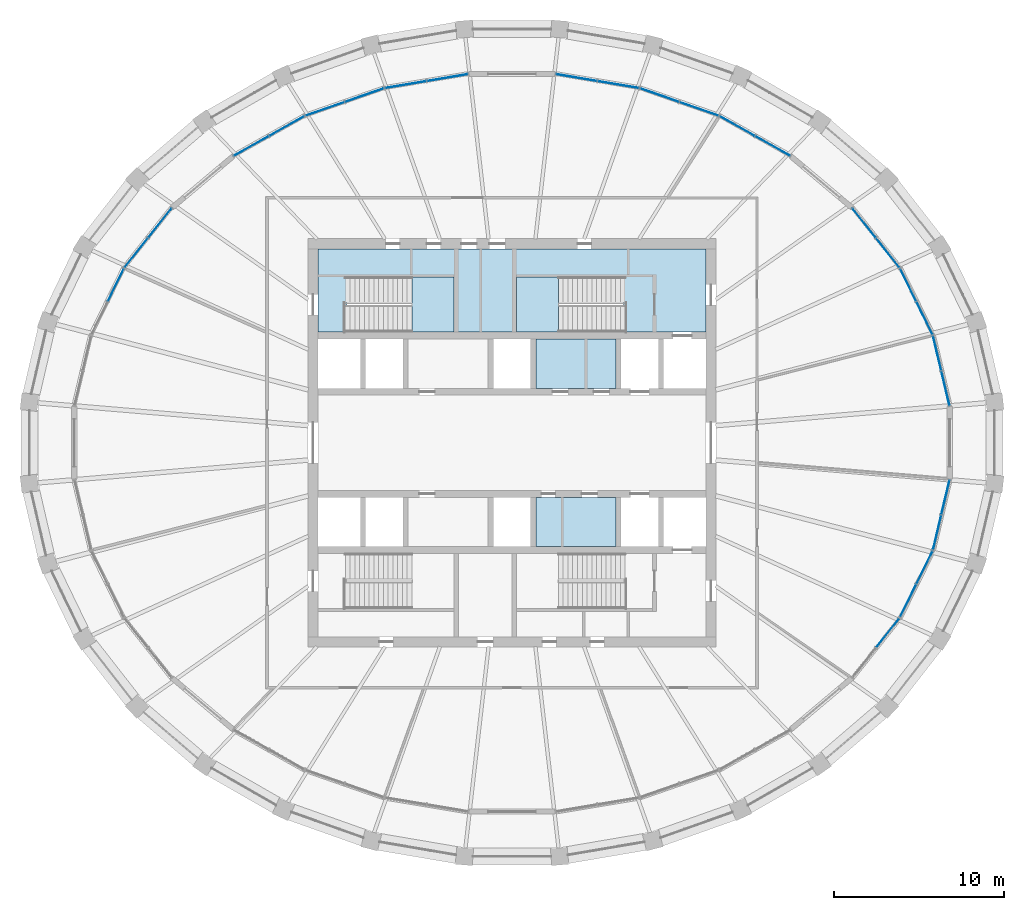
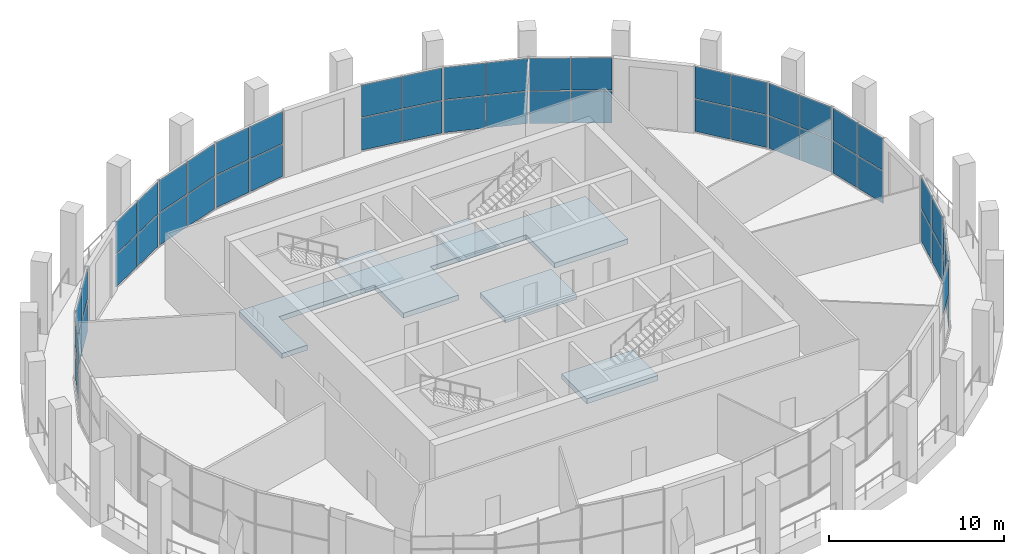
# One storey, part 9 of 15: 51 plates, 5 slabs, 16 elements without a shape of their own.
"""IFC4 building model written with IfcOpenShell, lengths in metres."""

from ifc_helpers import new_model, si_unit, direction, frame, origin, origin_2d, place, context, subcontext, project, spatial, polyline, rectangle, outline, extrude, material, layer, layer_set, type_object, element, aggregate, save


model = new_model("IFC4")

# Units and contexts
model_context = context("Model", 3, precision=1e-05, world=origin(), true_north=direction((0.0, 1.0)))
body_context = subcontext(model_context, "Body", "Model", "MODEL_VIEW")
ifc_project = project(units=[si_unit("LENGTHUNIT", "METRE"), si_unit("AREAUNIT", "SQUARE_METRE"), si_unit("VOLUMEUNIT", "CUBIC_METRE"), si_unit("PLANEANGLEUNIT", "RADIAN"), si_unit("MASSUNIT", "GRAM", prefix="KILO")], contexts=[model_context])

# Site, building, storey
site_placement = place(None, origin())
site = spatial("IfcSite", under=ifc_project, at=site_placement, CompositionType="ELEMENT")
building_placement = place(site_placement, origin())
building = spatial("IfcBuilding", under=site, at=building_placement, Name="Halqa Exchange Tower", CompositionType="ELEMENT")
storey_placement = place(building_placement, frame((0.0, 0.0, 338.300048828125)))
storey = spatial("IfcBuildingStorey", under=building, at=storey_placement, Name="L79", CompositionType="ELEMENT", Elevation=338.300048828125)

# Curtain wall, plates
ifc_material_1 = material(Name="Anodised aluminium and clear glass", Category="aluminium")
curtain_wall_type = type_object("IfcCurtainWallType", Name="Executive floor glazing", PredefinedType="NOTDEFINED", material=ifc_material_1)
curtain_wall_1_placement = place(storey_placement, origin())
curtain_wall_1 = element("IfcCurtainWall", 1, at=curtain_wall_1_placement, inside=storey, type_object=curtain_wall_type, Name="Executive floor glazing run G1", PredefinedType="NOTDEFINED")
ifc_material_2 = material(Name="Clear glass", Category="glass")
ifc_layer_1 = layer(ifc_material_2, 0.028076171875)
ifc_layer_set_1 = layer_set([ifc_layer_1], Name="Clear glass")
plate_type = type_object("IfcPlateType", Name="Clear low-emissivity glass panel 28", PredefinedType="CURTAIN_PANEL", material=ifc_layer_set_1)
plate_1_placement = place(storey_placement, frame((25.47509765625, 3.2001953125, 0.06005859375), z_axis=(0.0, 0.0, 1.0), x_axis=(-0.229995471437, 0.97319169906, 0.0)))
plate_1 = element("IfcPlate", 2, at=plate_1_placement, type_object=plate_type, Name="G1 panel 1.1", PredefinedType="CURTAIN_PANEL", context=body_context, shape_type="SweptSolid", body=[
    extrude(rectangle(XDim=2.063720703125, YDim=0.028076171875, at=origin_2d()), origin(), (0.0, 0.0, 1.0), 2.235107421875),
])
plate_2_placement = place(storey_placement, frame((25.47509765625, 3.2001953125, 2.35498046875), z_axis=(0.0, 0.0, 1.0), x_axis=(-0.229995471437, 0.97319169906, 0.0)))
plate_2 = element("IfcPlate", 3, at=plate_2_placement, type_object=plate_type, Name="G1 panel 1.2", PredefinedType="CURTAIN_PANEL", context=body_context, shape_type="SweptSolid", body=[
    extrude(rectangle(XDim=2.063720703125, YDim=0.028076171875, at=origin_2d()), origin(), (0.0, 0.0, 1.0), 2.235107421875),
])
plate_3_placement = place(storey_placement, frame((24.986572265625, 5.266845703125, 0.06005859375), z_axis=(0.0, 0.0, 1.0), x_axis=(-0.229995471437, 0.97319169906, 0.0)))
plate_3 = element("IfcPlate", 4, at=plate_3_placement, type_object=plate_type, Name="G1 panel 2.1", PredefinedType="CURTAIN_PANEL", context=body_context, shape_type="SweptSolid", body=[
    extrude(rectangle(XDim=2.063720703125, YDim=0.028076171875, at=origin_2d()), origin(), (0.0, 0.0, 1.0), 2.235107421875),
])
plate_4_placement = place(storey_placement, frame((24.986572265625, 5.266845703125, 2.35498046875), z_axis=(0.0, 0.0, 1.0), x_axis=(-0.229995471437, 0.97319169906, 0.0)))
plate_4 = element("IfcPlate", 5, at=plate_4_placement, type_object=plate_type, Name="G1 panel 2.2", PredefinedType="CURTAIN_PANEL", context=body_context, shape_type="SweptSolid", body=[
    extrude(rectangle(XDim=2.063720703125, YDim=0.028076171875, at=origin_2d()), origin(), (0.0, 0.0, 1.0), 2.235107421875),
])
aggregate(curtain_wall_1, [plate_1, plate_2, plate_3, plate_4])

curtain_wall_2_placement = place(storey_placement, origin())
curtain_wall_2 = element("IfcCurtainWall", 6, at=curtain_wall_2_placement, inside=storey, type_object=curtain_wall_type, Name="Executive floor glazing run G2", PredefinedType="NOTDEFINED")
plate_5_placement = place(storey_placement, frame((24.2431640625, 7.32958984375, 0.06005859375), z_axis=(0.0, 0.0, 1.0), x_axis=(-0.441594506199, 0.897214741349, 0.0)))
plate_5 = element("IfcPlate", 7, at=plate_5_placement, type_object=plate_type, Name="G2 panel 1.1", PredefinedType="CURTAIN_PANEL", context=body_context, shape_type="SweptSolid", body=[
    extrude(rectangle(XDim=2.109619140625, YDim=0.028076171875, at=origin_2d()), origin(), (0.0, 0.0, 1.0), 2.235107421875),
])
plate_6_placement = place(storey_placement, frame((24.2431640625, 7.32958984375, 2.35498046875), z_axis=(0.0, 0.0, 1.0), x_axis=(-0.441594506199, 0.897214741349, 0.0)))
plate_6 = element("IfcPlate", 8, at=plate_6_placement, type_object=plate_type, Name="G2 panel 1.2", PredefinedType="CURTAIN_PANEL", context=body_context, shape_type="SweptSolid", body=[
    extrude(rectangle(XDim=2.109619140625, YDim=0.028076171875, at=origin_2d()), origin(), (0.0, 0.0, 1.0), 2.235107421875),
])
plate_7_placement = place(storey_placement, frame((23.28515625, 9.276123046875, 0.06005859375), z_axis=(0.0, 0.0, 1.0), x_axis=(-0.441594506199, 0.897214741349, 0.0)))
plate_7 = element("IfcPlate", 9, at=plate_7_placement, type_object=plate_type, Name="G2 panel 2.1", PredefinedType="CURTAIN_PANEL", context=body_context, shape_type="SweptSolid", body=[
    extrude(rectangle(XDim=2.109619140625, YDim=0.028076171875, at=origin_2d()), origin(), (0.0, 0.0, 1.0), 2.235107421875),
])
plate_8_placement = place(storey_placement, frame((23.28515625, 9.276123046875, 2.35498046875), z_axis=(0.0, 0.0, 1.0), x_axis=(-0.441594506199, 0.897214741349, 0.0)))
plate_8 = element("IfcPlate", 10, at=plate_8_placement, type_object=plate_type, Name="G2 panel 2.2", PredefinedType="CURTAIN_PANEL", context=body_context, shape_type="SweptSolid", body=[
    extrude(rectangle(XDim=2.109619140625, YDim=0.028076171875, at=origin_2d()), origin(), (0.0, 0.0, 1.0), 2.235107421875),
])
aggregate(curtain_wall_2, [plate_5, plate_6, plate_7, plate_8])

curtain_wall_3_placement = place(storey_placement, origin())
curtain_wall_3 = element("IfcCurtainWall", 11, at=curtain_wall_3_placement, inside=storey, type_object=curtain_wall_type, Name="Executive floor glazing run G3", PredefinedType="NOTDEFINED")
plate_9_placement = place(storey_placement, frame((22.078857421875, 11.175537109375, 0.06005859375), z_axis=(0.0, 0.0, 1.0), x_axis=(-0.621817275737, 0.783162355834, 0.0)))
plate_9 = element("IfcPlate", 12, at=plate_9_placement, type_object=plate_type, Name="G3 panel 1.1", PredefinedType="CURTAIN_PANEL", context=body_context, shape_type="SweptSolid", body=[
    extrude(rectangle(XDim=2.17626953125, YDim=0.028076171875, at=origin_2d()), origin(), (0.0, 0.0, 1.0), 2.235107421875),
])
plate_10_placement = place(storey_placement, frame((22.078857421875, 11.175537109375, 2.35498046875), z_axis=(0.0, 0.0, 1.0), x_axis=(-0.621817275737, 0.783162355834, 0.0)))
plate_10 = element("IfcPlate", 13, at=plate_10_placement, type_object=plate_type, Name="G3 panel 1.2", PredefinedType="CURTAIN_PANEL", context=body_context, shape_type="SweptSolid", body=[
    extrude(rectangle(XDim=2.17626953125, YDim=0.028076171875, at=origin_2d()), origin(), (0.0, 0.0, 1.0), 2.235107421875),
])
plate_11_placement = place(storey_placement, frame((20.6884765625, 12.927001953125, 0.06005859375), z_axis=(0.0, 0.0, 1.0), x_axis=(-0.621817275737, 0.783162355834, 0.0)))
plate_11 = element("IfcPlate", 14, at=plate_11_placement, type_object=plate_type, Name="G3 panel 2.1", PredefinedType="CURTAIN_PANEL", context=body_context, shape_type="SweptSolid", body=[
    extrude(rectangle(XDim=2.17626953125, YDim=0.028076171875, at=origin_2d()), origin(), (0.0, 0.0, 1.0), 2.235107421875),
])
plate_12_placement = place(storey_placement, frame((20.6884765625, 12.927001953125, 2.35498046875), z_axis=(0.0, 0.0, 1.0), x_axis=(-0.621817275737, 0.783162355834, 0.0)))
plate_12 = element("IfcPlate", 15, at=plate_12_placement, type_object=plate_type, Name="G3 panel 2.2", PredefinedType="CURTAIN_PANEL", context=body_context, shape_type="SweptSolid", body=[
    extrude(rectangle(XDim=2.17626953125, YDim=0.028076171875, at=origin_2d()), origin(), (0.0, 0.0, 1.0), 2.235107421875),
])
aggregate(curtain_wall_3, [plate_9, plate_10, plate_11, plate_12])

curtain_wall_4_placement = place(storey_placement, origin())
curtain_wall_4 = element("IfcCurtainWall", 16, at=curtain_wall_4_placement, inside=storey, type_object=curtain_wall_type, Name="Executive floor glazing run G5", PredefinedType="NOTDEFINED")
plate_13_placement = place(storey_placement, frame((15.323486328125, 17.442626953125, 0.06005859375), z_axis=(0.0, 0.0, 1.0), x_axis=(-0.871633547948, 0.490158094997, 0.0)))
plate_13 = element("IfcPlate", 17, at=plate_13_placement, type_object=plate_type, Name="G5 panel 1.1", PredefinedType="CURTAIN_PANEL", context=body_context, shape_type="SweptSolid", body=[
    extrude(rectangle(XDim=2.32666015625, YDim=0.028076171875, at=origin_2d()), origin(), (0.0, 0.0, 1.0), 2.235107421875),
])
plate_14_placement = place(storey_placement, frame((15.323486328125, 17.442626953125, 2.35498046875), z_axis=(0.0, 0.0, 1.0), x_axis=(-0.871633547948, 0.490158094997, 0.0)))
plate_14 = element("IfcPlate", 18, at=plate_14_placement, type_object=plate_type, Name="G5 panel 1.2", PredefinedType="CURTAIN_PANEL", context=body_context, shape_type="SweptSolid", body=[
    extrude(rectangle(XDim=2.32666015625, YDim=0.028076171875, at=origin_2d()), origin(), (0.0, 0.0, 1.0), 2.235107421875),
])
plate_15_placement = place(storey_placement, frame((13.2431640625, 18.6123046875, 0.06005859375), z_axis=(0.0, 0.0, 1.0), x_axis=(-0.871633547948, 0.490158094997, 0.0)))
plate_15 = element("IfcPlate", 19, at=plate_15_placement, type_object=plate_type, Name="G5 panel 2.1", PredefinedType="CURTAIN_PANEL", context=body_context, shape_type="SweptSolid", body=[
    extrude(rectangle(XDim=2.32666015625, YDim=0.028076171875, at=origin_2d()), origin(), (0.0, 0.0, 1.0), 2.235107421875),
])
plate_16_placement = place(storey_placement, frame((13.2431640625, 18.6123046875, 2.35498046875), z_axis=(0.0, 0.0, 1.0), x_axis=(-0.871633547948, 0.490158094997, 0.0)))
plate_16 = element("IfcPlate", 20, at=plate_16_placement, type_object=plate_type, Name="G5 panel 2.2", PredefinedType="CURTAIN_PANEL", context=body_context, shape_type="SweptSolid", body=[
    extrude(rectangle(XDim=2.32666015625, YDim=0.028076171875, at=origin_2d()), origin(), (0.0, 0.0, 1.0), 2.235107421875),
])
aggregate(curtain_wall_4, [plate_13, plate_14, plate_15, plate_16])

curtain_wall_5_placement = place(storey_placement, origin())
curtain_wall_5 = element("IfcCurtainWall", 21, at=curtain_wall_5_placement, inside=storey, type_object=curtain_wall_type, Name="Executive floor glazing run G6", PredefinedType="NOTDEFINED")
plate_17_placement = place(storey_placement, frame((10.992919921875, 19.624755859375, 0.06005859375), z_axis=(0.0, 0.0, 1.0), x_axis=(-0.9442741551, 0.329160021888, 0.0)))
plate_17 = element("IfcPlate", 22, at=plate_17_placement, type_object=plate_type, Name="G6 panel 1.1", PredefinedType="CURTAIN_PANEL", context=body_context, shape_type="SweptSolid", body=[
    extrude(rectangle(XDim=2.3876953125, YDim=0.028076171875, at=origin_2d()), origin(), (0.0, 0.0, 1.0), 2.235107421875),
])
plate_18_placement = place(storey_placement, frame((10.992919921875, 19.624755859375, 2.35498046875), z_axis=(0.0, 0.0, 1.0), x_axis=(-0.9442741551, 0.329160021888, 0.0)))
plate_18 = element("IfcPlate", 23, at=plate_18_placement, type_object=plate_type, Name="G6 panel 1.2", PredefinedType="CURTAIN_PANEL", context=body_context, shape_type="SweptSolid", body=[
    extrude(rectangle(XDim=2.3876953125, YDim=0.028076171875, at=origin_2d()), origin(), (0.0, 0.0, 1.0), 2.235107421875),
])
plate_19_placement = place(storey_placement, frame((8.681640625, 20.430419921875, 0.06005859375), z_axis=(0.0, 0.0, 1.0), x_axis=(-0.9442741551, 0.329160021888, 0.0)))
plate_19 = element("IfcPlate", 24, at=plate_19_placement, type_object=plate_type, Name="G6 panel 2.1", PredefinedType="CURTAIN_PANEL", context=body_context, shape_type="SweptSolid", body=[
    extrude(rectangle(XDim=2.3876953125, YDim=0.028076171875, at=origin_2d()), origin(), (0.0, 0.0, 1.0), 2.235107421875),
])
plate_20_placement = place(storey_placement, frame((8.681640625, 20.430419921875, 2.35498046875), z_axis=(0.0, 0.0, 1.0), x_axis=(-0.9442741551, 0.329160021888, 0.0)))
plate_20 = element("IfcPlate", 25, at=plate_20_placement, type_object=plate_type, Name="G6 panel 2.2", PredefinedType="CURTAIN_PANEL", context=body_context, shape_type="SweptSolid", body=[
    extrude(rectangle(XDim=2.3876953125, YDim=0.028076171875, at=origin_2d()), origin(), (0.0, 0.0, 1.0), 2.235107421875),
])
aggregate(curtain_wall_5, [plate_17, plate_18, plate_19, plate_20])

curtain_wall_6_placement = place(storey_placement, origin())
curtain_wall_6 = element("IfcCurtainWall", 26, at=curtain_wall_6_placement, inside=storey, type_object=curtain_wall_type, Name="Executive floor glazing run G7", PredefinedType="NOTDEFINED")
plate_21_placement = place(storey_placement, frame((6.2412109375, 21.053466796875, 0.06005859375), z_axis=(0.0, 0.0, 1.0), x_axis=(-0.986273964834, 0.165117129007, 0.0)))
plate_21 = element("IfcPlate", 27, at=plate_21_placement, type_object=plate_type, Name="G7 panel 1.1", PredefinedType="CURTAIN_PANEL", context=body_context, shape_type="SweptSolid", body=[
    extrude(rectangle(XDim=2.427490234375, YDim=0.028076171875, at=origin_2d()), origin(), (0.0, 0.0, 1.0), 2.235107421875),
])
plate_22_placement = place(storey_placement, frame((6.2412109375, 21.053466796875, 2.35498046875), z_axis=(0.0, 0.0, 1.0), x_axis=(-0.986273964834, 0.165117129007, 0.0)))
plate_22 = element("IfcPlate", 28, at=plate_22_placement, type_object=plate_type, Name="G7 panel 1.2", PredefinedType="CURTAIN_PANEL", context=body_context, shape_type="SweptSolid", body=[
    extrude(rectangle(XDim=2.427490234375, YDim=0.028076171875, at=origin_2d()), origin(), (0.0, 0.0, 1.0), 2.235107421875),
])
plate_23_placement = place(storey_placement, frame((3.787841796875, 21.464111328125, 0.06005859375), z_axis=(0.0, 0.0, 1.0), x_axis=(-0.986273964834, 0.165117129007, 0.0)))
plate_23 = element("IfcPlate", 29, at=plate_23_placement, type_object=plate_type, Name="G7 panel 2.1", PredefinedType="CURTAIN_PANEL", context=body_context, shape_type="SweptSolid", body=[
    extrude(rectangle(XDim=2.427490234375, YDim=0.028076171875, at=origin_2d()), origin(), (0.0, 0.0, 1.0), 2.235107421875),
])
plate_24_placement = place(storey_placement, frame((3.787841796875, 21.464111328125, 2.35498046875), z_axis=(0.0, 0.0, 1.0), x_axis=(-0.986273964834, 0.165117129007, 0.0)))
plate_24 = element("IfcPlate", 30, at=plate_24_placement, type_object=plate_type, Name="G7 panel 2.2", PredefinedType="CURTAIN_PANEL", context=body_context, shape_type="SweptSolid", body=[
    extrude(rectangle(XDim=2.427490234375, YDim=0.028076171875, at=origin_2d()), origin(), (0.0, 0.0, 1.0), 2.235107421875),
])
aggregate(curtain_wall_6, [plate_21, plate_22, plate_23, plate_24])

curtain_wall_7_placement = place(storey_placement, origin())
curtain_wall_7 = element("IfcCurtainWall", 31, at=curtain_wall_7_placement, inside=storey, type_object=curtain_wall_type, Name="Executive floor glazing run G9", PredefinedType="NOTDEFINED")
plate_25_placement = place(storey_placement, frame((-3.787841796875, 21.464111328125, 0.06005859375), z_axis=(0.0, 0.0, 1.0), x_axis=(-0.986273964834, -0.165117129007, 0.0)))
plate_25 = element("IfcPlate", 32, at=plate_25_placement, type_object=plate_type, Name="G9 panel 1.1", PredefinedType="CURTAIN_PANEL", context=body_context, shape_type="SweptSolid", body=[
    extrude(rectangle(XDim=2.427490234375, YDim=0.028076171875, at=origin_2d()), origin(), (0.0, 0.0, 1.0), 2.235107421875),
])
plate_26_placement = place(storey_placement, frame((-3.787841796875, 21.464111328125, 2.35498046875), z_axis=(0.0, 0.0, 1.0), x_axis=(-0.986273964834, -0.165117129007, 0.0)))
plate_26 = element("IfcPlate", 33, at=plate_26_placement, type_object=plate_type, Name="G9 panel 1.2", PredefinedType="CURTAIN_PANEL", context=body_context, shape_type="SweptSolid", body=[
    extrude(rectangle(XDim=2.427490234375, YDim=0.028076171875, at=origin_2d()), origin(), (0.0, 0.0, 1.0), 2.235107421875),
])
plate_27_placement = place(storey_placement, frame((-6.2412109375, 21.053466796875, 0.06005859375), z_axis=(0.0, 0.0, 1.0), x_axis=(-0.986273964834, -0.165117129007, 0.0)))
plate_27 = element("IfcPlate", 34, at=plate_27_placement, type_object=plate_type, Name="G9 panel 2.1", PredefinedType="CURTAIN_PANEL", context=body_context, shape_type="SweptSolid", body=[
    extrude(rectangle(XDim=2.427490234375, YDim=0.028076171875, at=origin_2d()), origin(), (0.0, 0.0, 1.0), 2.235107421875),
])
plate_28_placement = place(storey_placement, frame((-6.2412109375, 21.053466796875, 2.35498046875), z_axis=(0.0, 0.0, 1.0), x_axis=(-0.986273964834, -0.165117129007, 0.0)))
plate_28 = element("IfcPlate", 35, at=plate_28_placement, type_object=plate_type, Name="G9 panel 2.2", PredefinedType="CURTAIN_PANEL", context=body_context, shape_type="SweptSolid", body=[
    extrude(rectangle(XDim=2.427490234375, YDim=0.028076171875, at=origin_2d()), origin(), (0.0, 0.0, 1.0), 2.235107421875),
])
aggregate(curtain_wall_7, [plate_25, plate_26, plate_27, plate_28])

curtain_wall_8_placement = place(storey_placement, origin())
curtain_wall_8 = element("IfcCurtainWall", 36, at=curtain_wall_8_placement, inside=storey, type_object=curtain_wall_type, Name="Executive floor glazing run G10", PredefinedType="NOTDEFINED")
plate_29_placement = place(storey_placement, frame((-8.681640625, 20.430419921875, 0.06005859375), z_axis=(0.0, 0.0, 1.0), x_axis=(-0.9442741551, -0.329160021888, 0.0)))
plate_29 = element("IfcPlate", 37, at=plate_29_placement, type_object=plate_type, Name="G10 panel 1.1", PredefinedType="CURTAIN_PANEL", context=body_context, shape_type="SweptSolid", body=[
    extrude(rectangle(XDim=2.3876953125, YDim=0.028076171875, at=origin_2d()), origin(), (0.0, 0.0, 1.0), 2.235107421875),
])
plate_30_placement = place(storey_placement, frame((-8.681640625, 20.430419921875, 2.35498046875), z_axis=(0.0, 0.0, 1.0), x_axis=(-0.9442741551, -0.329160021888, 0.0)))
plate_30 = element("IfcPlate", 38, at=plate_30_placement, type_object=plate_type, Name="G10 panel 1.2", PredefinedType="CURTAIN_PANEL", context=body_context, shape_type="SweptSolid", body=[
    extrude(rectangle(XDim=2.3876953125, YDim=0.028076171875, at=origin_2d()), origin(), (0.0, 0.0, 1.0), 2.235107421875),
])
plate_31_placement = place(storey_placement, frame((-10.992919921875, 19.624755859375, 0.06005859375), z_axis=(0.0, 0.0, 1.0), x_axis=(-0.9442741551, -0.329160021888, 0.0)))
plate_31 = element("IfcPlate", 39, at=plate_31_placement, type_object=plate_type, Name="G10 panel 2.1", PredefinedType="CURTAIN_PANEL", context=body_context, shape_type="SweptSolid", body=[
    extrude(rectangle(XDim=2.3876953125, YDim=0.028076171875, at=origin_2d()), origin(), (0.0, 0.0, 1.0), 2.235107421875),
])
plate_32_placement = place(storey_placement, frame((-10.992919921875, 19.624755859375, 2.35498046875), z_axis=(0.0, 0.0, 1.0), x_axis=(-0.9442741551, -0.329160021888, 0.0)))
plate_32 = element("IfcPlate", 40, at=plate_32_placement, type_object=plate_type, Name="G10 panel 2.2", PredefinedType="CURTAIN_PANEL", context=body_context, shape_type="SweptSolid", body=[
    extrude(rectangle(XDim=2.3876953125, YDim=0.028076171875, at=origin_2d()), origin(), (0.0, 0.0, 1.0), 2.235107421875),
])
aggregate(curtain_wall_8, [plate_29, plate_30, plate_31, plate_32])

curtain_wall_9_placement = place(storey_placement, origin())
curtain_wall_9 = element("IfcCurtainWall", 41, at=curtain_wall_9_placement, inside=storey, type_object=curtain_wall_type, Name="Executive floor glazing run G11", PredefinedType="NOTDEFINED")
plate_33_placement = place(storey_placement, frame((-13.2431640625, 18.6123046875, 0.06005859375), z_axis=(0.0, 0.0, 1.0), x_axis=(-0.871633547948, -0.490158094997, 0.0)))
plate_33 = element("IfcPlate", 42, at=plate_33_placement, type_object=plate_type, Name="G11 panel 1.1", PredefinedType="CURTAIN_PANEL", context=body_context, shape_type="SweptSolid", body=[
    extrude(rectangle(XDim=2.32666015625, YDim=0.028076171875, at=origin_2d()), origin(), (0.0, 0.0, 1.0), 2.235107421875),
])
plate_34_placement = place(storey_placement, frame((-13.2431640625, 18.6123046875, 2.35498046875), z_axis=(0.0, 0.0, 1.0), x_axis=(-0.871633547948, -0.490158094997, 0.0)))
plate_34 = element("IfcPlate", 43, at=plate_34_placement, type_object=plate_type, Name="G11 panel 1.2", PredefinedType="CURTAIN_PANEL", context=body_context, shape_type="SweptSolid", body=[
    extrude(rectangle(XDim=2.32666015625, YDim=0.028076171875, at=origin_2d()), origin(), (0.0, 0.0, 1.0), 2.235107421875),
])
plate_35_placement = place(storey_placement, frame((-15.323486328125, 17.442626953125, 0.06005859375), z_axis=(0.0, 0.0, 1.0), x_axis=(-0.871633547948, -0.490158094997, 0.0)))
plate_35 = element("IfcPlate", 44, at=plate_35_placement, type_object=plate_type, Name="G11 panel 2.1", PredefinedType="CURTAIN_PANEL", context=body_context, shape_type="SweptSolid", body=[
    extrude(rectangle(XDim=2.32666015625, YDim=0.028076171875, at=origin_2d()), origin(), (0.0, 0.0, 1.0), 2.235107421875),
])
plate_36_placement = place(storey_placement, frame((-15.323486328125, 17.442626953125, 2.35498046875), z_axis=(0.0, 0.0, 1.0), x_axis=(-0.871633547948, -0.490158094997, 0.0)))
plate_36 = element("IfcPlate", 45, at=plate_36_placement, type_object=plate_type, Name="G11 panel 2.2", PredefinedType="CURTAIN_PANEL", context=body_context, shape_type="SweptSolid", body=[
    extrude(rectangle(XDim=2.32666015625, YDim=0.028076171875, at=origin_2d()), origin(), (0.0, 0.0, 1.0), 2.235107421875),
])
aggregate(curtain_wall_9, [plate_33, plate_34, plate_35, plate_36])

curtain_wall_10_placement = place(storey_placement, origin())
curtain_wall_10 = element("IfcCurtainWall", 46, at=curtain_wall_10_placement, inside=storey, type_object=curtain_wall_type, Name="Executive floor glazing run G13", PredefinedType="NOTDEFINED")
plate_37_placement = place(storey_placement, frame((-20.6884765625, 12.927001953125, 0.06005859375), z_axis=(0.0, 0.0, 1.0), x_axis=(-0.621817275737, -0.783162355834, 0.0)))
plate_37 = element("IfcPlate", 47, at=plate_37_placement, type_object=plate_type, Name="G13 panel 1.1", PredefinedType="CURTAIN_PANEL", context=body_context, shape_type="SweptSolid", body=[
    extrude(rectangle(XDim=2.17626953125, YDim=0.028076171875, at=origin_2d()), origin(), (0.0, 0.0, 1.0), 2.235107421875),
])
plate_38_placement = place(storey_placement, frame((-20.6884765625, 12.927001953125, 2.35498046875), z_axis=(0.0, 0.0, 1.0), x_axis=(-0.621817275737, -0.783162355834, 0.0)))
plate_38 = element("IfcPlate", 48, at=plate_38_placement, type_object=plate_type, Name="G13 panel 1.2", PredefinedType="CURTAIN_PANEL", context=body_context, shape_type="SweptSolid", body=[
    extrude(rectangle(XDim=2.17626953125, YDim=0.028076171875, at=origin_2d()), origin(), (0.0, 0.0, 1.0), 2.235107421875),
])
plate_39_placement = place(storey_placement, frame((-22.078857421875, 11.175537109375, 0.06005859375), z_axis=(0.0, 0.0, 1.0), x_axis=(-0.621817275737, -0.783162355834, 0.0)))
plate_39 = element("IfcPlate", 49, at=plate_39_placement, type_object=plate_type, Name="G13 panel 2.1", PredefinedType="CURTAIN_PANEL", context=body_context, shape_type="SweptSolid", body=[
    extrude(rectangle(XDim=2.17626953125, YDim=0.028076171875, at=origin_2d()), origin(), (0.0, 0.0, 1.0), 2.235107421875),
])
plate_40_placement = place(storey_placement, frame((-22.078857421875, 11.175537109375, 2.35498046875), z_axis=(0.0, 0.0, 1.0), x_axis=(-0.621817275737, -0.783162355834, 0.0)))
plate_40 = element("IfcPlate", 50, at=plate_40_placement, type_object=plate_type, Name="G13 panel 2.2", PredefinedType="CURTAIN_PANEL", context=body_context, shape_type="SweptSolid", body=[
    extrude(rectangle(XDim=2.17626953125, YDim=0.028076171875, at=origin_2d()), origin(), (0.0, 0.0, 1.0), 2.235107421875),
])
aggregate(curtain_wall_10, [plate_37, plate_38, plate_39, plate_40])

curtain_wall_11_placement = place(storey_placement, origin())
curtain_wall_11 = element("IfcCurtainWall", 51, at=curtain_wall_11_placement, inside=storey, type_object=curtain_wall_type, Name="Executive floor glazing run G14", PredefinedType="NOTDEFINED")
plate_41_placement = place(storey_placement, frame((-23.28515625, 9.276123046875, 0.06005859375), z_axis=(0.0, 0.0, 1.0), x_axis=(-0.441594506199, -0.897214741349, 0.0)))
plate_41 = element("IfcPlate", 52, at=plate_41_placement, type_object=plate_type, Name="G14 panel 1.1", PredefinedType="CURTAIN_PANEL", context=body_context, shape_type="SweptSolid", body=[
    extrude(rectangle(XDim=2.109619140625, YDim=0.028076171875, at=origin_2d()), origin(), (0.0, 0.0, 1.0), 2.235107421875),
])
plate_42_placement = place(storey_placement, frame((-23.28515625, 9.276123046875, 2.35498046875), z_axis=(0.0, 0.0, 1.0), x_axis=(-0.441594506199, -0.897214741349, 0.0)))
plate_42 = element("IfcPlate", 53, at=plate_42_placement, type_object=plate_type, Name="G14 panel 1.2", PredefinedType="CURTAIN_PANEL", context=body_context, shape_type="SweptSolid", body=[
    extrude(rectangle(XDim=2.109619140625, YDim=0.028076171875, at=origin_2d()), origin(), (0.0, 0.0, 1.0), 2.235107421875),
])
aggregate(curtain_wall_11, [plate_41, plate_42])

# Curtain wall, plate
curtain_wall_12_placement = place(storey_placement, origin())
curtain_wall_12 = element("IfcCurtainWall", 54, at=curtain_wall_12_placement, inside=storey, type_object=curtain_wall_type, Name="Executive floor glazing run G29", PredefinedType="NOTDEFINED")
plate_43_placement = place(storey_placement, frame((22.078857421875, -11.175537109375, 2.35498046875), z_axis=(0.0, 0.0, 1.0), x_axis=(0.621817275737, 0.783162355834, 0.0)))
plate_43 = element("IfcPlate", 55, at=plate_43_placement, type_object=plate_type, Name="G29 panel 2.2", PredefinedType="CURTAIN_PANEL", context=body_context, shape_type="SweptSolid", body=[
    extrude(rectangle(XDim=2.17626953125, YDim=0.028076171875, at=origin_2d()), origin(), (0.0, 0.0, 1.0), 2.235107421875),
])
aggregate(curtain_wall_12, [plate_43])

# Curtain wall, plates
curtain_wall_13_placement = place(storey_placement, origin())
curtain_wall_13 = element("IfcCurtainWall", 56, at=curtain_wall_13_placement, inside=storey, type_object=curtain_wall_type, Name="Executive floor glazing run G30", PredefinedType="NOTDEFINED")
plate_44_placement = place(storey_placement, frame((23.28515625, -9.276123046875, 0.06005859375), z_axis=(0.0, 0.0, 1.0), x_axis=(0.441594506199, 0.897214741349, 0.0)))
plate_44 = element("IfcPlate", 57, at=plate_44_placement, type_object=plate_type, Name="G30 panel 1.1", PredefinedType="CURTAIN_PANEL", context=body_context, shape_type="SweptSolid", body=[
    extrude(rectangle(XDim=2.109619140625, YDim=0.028076171875, at=origin_2d()), origin(), (0.0, 0.0, 1.0), 2.235107421875),
])
plate_45_placement = place(storey_placement, frame((23.28515625, -9.276123046875, 2.35498046875), z_axis=(0.0, 0.0, 1.0), x_axis=(0.441594506199, 0.897214741349, 0.0)))
plate_45 = element("IfcPlate", 58, at=plate_45_placement, type_object=plate_type, Name="G30 panel 1.2", PredefinedType="CURTAIN_PANEL", context=body_context, shape_type="SweptSolid", body=[
    extrude(rectangle(XDim=2.109619140625, YDim=0.028076171875, at=origin_2d()), origin(), (0.0, 0.0, 1.0), 2.235107421875),
])
plate_46_placement = place(storey_placement, frame((24.2431640625, -7.32958984375, 0.06005859375), z_axis=(0.0, 0.0, 1.0), x_axis=(0.441594506199, 0.897214741349, 0.0)))
plate_46 = element("IfcPlate", 59, at=plate_46_placement, type_object=plate_type, Name="G30 panel 2.1", PredefinedType="CURTAIN_PANEL", context=body_context, shape_type="SweptSolid", body=[
    extrude(rectangle(XDim=2.109619140625, YDim=0.028076171875, at=origin_2d()), origin(), (0.0, 0.0, 1.0), 2.235107421875),
])
plate_47_placement = place(storey_placement, frame((24.2431640625, -7.32958984375, 2.35498046875), z_axis=(0.0, 0.0, 1.0), x_axis=(0.441594506199, 0.897214741349, 0.0)))
plate_47 = element("IfcPlate", 60, at=plate_47_placement, type_object=plate_type, Name="G30 panel 2.2", PredefinedType="CURTAIN_PANEL", context=body_context, shape_type="SweptSolid", body=[
    extrude(rectangle(XDim=2.109619140625, YDim=0.028076171875, at=origin_2d()), origin(), (0.0, 0.0, 1.0), 2.235107421875),
])
aggregate(curtain_wall_13, [plate_44, plate_45, plate_46, plate_47])

curtain_wall_14_placement = place(storey_placement, origin())
curtain_wall_14 = element("IfcCurtainWall", 61, at=curtain_wall_14_placement, inside=storey, type_object=curtain_wall_type, Name="Executive floor glazing run G31", PredefinedType="NOTDEFINED")
plate_48_placement = place(storey_placement, frame((24.986572265625, -5.266845703125, 0.06005859375), z_axis=(0.0, 0.0, 1.0), x_axis=(0.229995471437, 0.97319169906, 0.0)))
plate_48 = element("IfcPlate", 62, at=plate_48_placement, type_object=plate_type, Name="G31 panel 1.1", PredefinedType="CURTAIN_PANEL", context=body_context, shape_type="SweptSolid", body=[
    extrude(rectangle(XDim=2.063720703125, YDim=0.028076171875, at=origin_2d()), origin(), (0.0, 0.0, 1.0), 2.235107421875),
])
plate_49_placement = place(storey_placement, frame((24.986572265625, -5.266845703125, 2.35498046875), z_axis=(0.0, 0.0, 1.0), x_axis=(0.229995471437, 0.97319169906, 0.0)))
plate_49 = element("IfcPlate", 63, at=plate_49_placement, type_object=plate_type, Name="G31 panel 1.2", PredefinedType="CURTAIN_PANEL", context=body_context, shape_type="SweptSolid", body=[
    extrude(rectangle(XDim=2.063720703125, YDim=0.028076171875, at=origin_2d()), origin(), (0.0, 0.0, 1.0), 2.235107421875),
])
plate_50_placement = place(storey_placement, frame((25.47509765625, -3.2001953125, 0.06005859375), z_axis=(0.0, 0.0, 1.0), x_axis=(0.229995471437, 0.97319169906, 0.0)))
plate_50 = element("IfcPlate", 64, at=plate_50_placement, type_object=plate_type, Name="G31 panel 2.1", PredefinedType="CURTAIN_PANEL", context=body_context, shape_type="SweptSolid", body=[
    extrude(rectangle(XDim=2.063720703125, YDim=0.028076171875, at=origin_2d()), origin(), (0.0, 0.0, 1.0), 2.235107421875),
])
plate_51_placement = place(storey_placement, frame((25.47509765625, -3.2001953125, 2.35498046875), z_axis=(0.0, 0.0, 1.0), x_axis=(0.229995471437, 0.97319169906, 0.0)))
plate_51 = element("IfcPlate", 65, at=plate_51_placement, type_object=plate_type, Name="G31 panel 2.2", PredefinedType="CURTAIN_PANEL", context=body_context, shape_type="SweptSolid", body=[
    extrude(rectangle(XDim=2.063720703125, YDim=0.028076171875, at=origin_2d()), origin(), (0.0, 0.0, 1.0), 2.235107421875),
])
aggregate(curtain_wall_14, [plate_48, plate_49, plate_50, plate_51])

# Slabs
ifc_material_3 = material(Name="Concrete C60/75", Category="concrete")
ifc_layer_2 = layer(ifc_material_3, 0.35009765625)
ifc_layer_set_2 = layer_set([ifc_layer_2], Name="Concrete C60/75")
slab_type_1 = type_object("IfcSlabType", Name="Core floor slab 350", PredefinedType="FLOOR", material=ifc_layer_set_2)
slab_1_placement = place(storey_placement, frame((0.0, 0.0, -0.35009765625)))
element("IfcSlab", 66, at=slab_1_placement, inside=storey, type_object=slab_type_1, Name="Core floor slab", PredefinedType="FLOOR", context=body_context, shape_type="SweptSolid", body=[
    extrude(outline(polyline([(-11.39990234375, 11.39990234375), (11.39990234375, 11.39990234375), (11.39990234375, 6.5), (6.550048828125, 6.5), (6.550048828125, 9.75), (0.25, 9.75), (0.25, 6.5), (-3.39990234375, 6.5), (-3.39990234375, 9.75), (-9.699951171875, 9.75), (-9.699951171875, 6.5), (-11.39990234375, 6.5), (-11.39990234375, 11.39990234375)])), origin(), (0.0, 0.0, 1.0), 0.35009765625),
])
slab_2_placement = place(storey_placement, frame((0.0, 0.0, -0.35009765625)))
element("IfcSlab", 67, at=slab_2_placement, inside=storey, type_object=slab_type_1, Name="Core floor slab", PredefinedType="FLOOR", context=body_context, shape_type="SweptSolid", body=[
    extrude(outline(polyline([(6.10009765625, -3.199951171875), (6.10009765625, -6.10009765625), (1.39990234375, -6.10009765625), (1.39990234375, -3.199951171875), (6.10009765625, -3.199951171875)])), origin(), (0.0, 0.0, 1.0), 0.35009765625),
])
slab_3_placement = place(storey_placement, frame((0.0, 0.0, -0.35009765625)))
element("IfcSlab", 68, at=slab_3_placement, inside=storey, type_object=slab_type_1, Name="Core floor slab", PredefinedType="FLOOR", context=body_context, shape_type="SweptSolid", body=[
    extrude(outline(polyline([(6.10009765625, 6.10009765625), (6.10009765625, 3.199951171875), (1.39990234375, 3.199951171875), (1.39990234375, 6.10009765625), (6.10009765625, 6.10009765625)])), origin(), (0.0, 0.0, 1.0), 0.35009765625),
])

# Stair, slab
ifc_material_4 = material(Name="Concrete C30/37", Category="concrete")
stair_type = type_object("IfcStairType", Name="Exit stair 1500 wide", PredefinedType="HALF_TURN_STAIR", material=ifc_material_4)
stair_1_placement = place(storey_placement, origin())
stair_1 = element("IfcStair", 69, at=stair_1_placement, inside=storey, type_object=stair_type, Name="Exit stair ST1", PredefinedType="HALF_TURN_STAIR")
ifc_layer_3 = layer(ifc_material_4, 0.199951171875)
ifc_layer_set_3 = layer_set([ifc_layer_3], Name="Concrete C30/37")
slab_type_2 = type_object("IfcSlabType", Name="Stair landing 200 slab", PredefinedType="LANDING", material=ifc_layer_set_3)
slab_4_placement = place(storey_placement, frame((0.0, 0.0, 2.300048828125)))
slab_4 = element("IfcSlab", 70, at=slab_4_placement, type_object=slab_type_2, Name="ST1 landing 1", PredefinedType="LANDING", context=body_context, shape_type="SweptSolid", body=[
    extrude(outline(polyline([(-5.8798828125, 6.5), (-3.39990234375, 6.5), (-3.39990234375, 9.75), (-5.8798828125, 9.75), (-5.8798828125, 6.5)])), origin(), (0.0, 0.0, 1.0), 0.199951171875),
])
aggregate(stair_1, [slab_4])

stair_2_placement = place(storey_placement, origin())
stair_2 = element("IfcStair", 71, at=stair_2_placement, inside=storey, type_object=stair_type, Name="Exit stair ST2", PredefinedType="HALF_TURN_STAIR")
slab_5_placement = place(storey_placement, frame((0.0, 0.0, 2.300048828125)))
slab_5 = element("IfcSlab", 72, at=slab_5_placement, type_object=slab_type_2, Name="ST2 landing 1", PredefinedType="LANDING", context=body_context, shape_type="SweptSolid", body=[
    extrude(outline(polyline([(0.25, 6.5), (2.72998046875, 6.5), (2.72998046875, 9.75), (0.25, 9.75), (0.25, 6.5)])), origin(), (0.0, 0.0, 1.0), 0.199951171875),
])
aggregate(stair_2, [slab_5])

save(model, "model.ifc")
